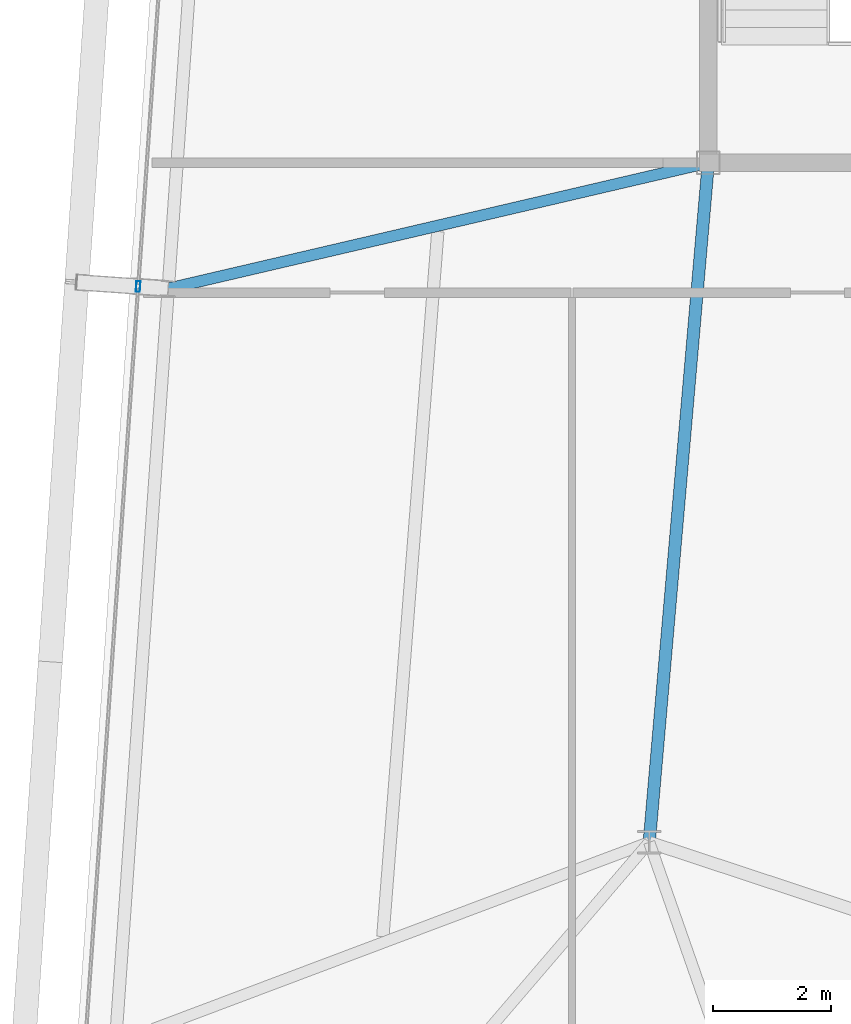
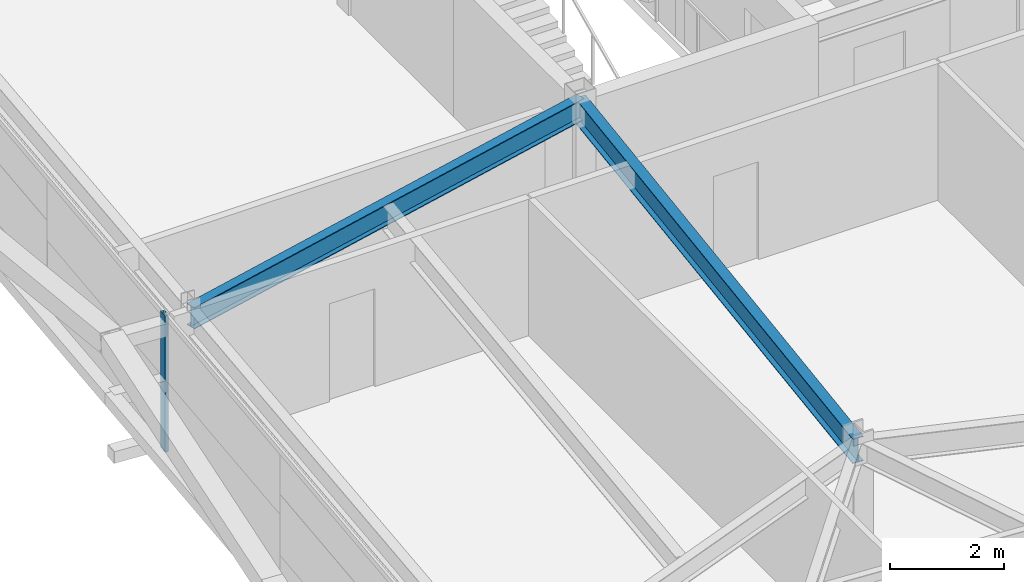
# One storey, part 11 of 39: 2 beams, 1 member, 1 element without a shape of its own.
"""IFC4 building model written with IfcOpenShell, lengths in metres."""

import ifcopenshell
import ifcopenshell.guid

model = None  # the IFC model being written
_history = None  # IfcOwnerHistory: only IFC2X3 demands one
_inside = {}  # id of a spatial element -> (the spatial element, [elements in it])
_under = {}  # id of a project, library or spatial element -> (it, [spatial elements below it])
_declared = {}  # id of a project -> (the project, [libraries it declares])
_typed = {}  # id of a type object -> (the type object, [elements of that type])
_made_of = {}  # id of a material, layer set ... -> (it, [elements and type objects made of it])


def new_model(schema):
    """Start an empty IFC model of exactly this schema.

    Asked for "IFC4X3", IfcOpenShell would pick the latest addendum, in which some entities
    have other attributes; the version numbers below select the first issue.
    IFC2X3 requires an IfcOwnerHistory on every rooted entity: one is made here for all.
    """
    global model, _history
    if schema == "IFC4X3":
        model = ifcopenshell.file(schema_version=(4, 3, 0, 0))
    else:
        model = ifcopenshell.file(schema=schema)
    _inside.clear()
    _under.clear()
    _declared.clear()
    _typed.clear()
    _made_of.clear()
    _history = None
    if model.schema == "IFC2X3":
        org = make("IfcOrganization", Name="unknown")
        user = make(
            "IfcPersonAndOrganization",
            ThePerson=make("IfcPerson", FamilyName="unknown"),
            TheOrganization=org,
        )
        app = make(
            "IfcApplication",
            ApplicationDeveloper=org,
            Version="unknown",
            ApplicationFullName="unknown",
            ApplicationIdentifier="unknown",
        )
        _history = make(
            "IfcOwnerHistory",
            OwningUser=user,
            OwningApplication=app,
            ChangeAction="ADDED",
            CreationDate=0,
        )
    return model


def make(cls, **values):
    """One entity of the class cls with the attributes given. An attribute that is None is left unset."""
    return model.create_entity(
        cls, **{name: value for name, value in values.items() if value is not None}
    )


def rooted(cls, **values):
    """An entity with a GlobalId (a new one), such as an element, a storey or a relation."""
    return make(cls, GlobalId=ifcopenshell.guid.new(), OwnerHistory=_history, **values)


def si_unit(unit_type, name, prefix=None):
    """IfcSIUnit, for example si_unit("LENGTHUNIT", "METRE", prefix="MILLI")."""
    return make("IfcSIUnit", UnitType=unit_type, Prefix=prefix, Name=name)


def assignment(units):
    """IfcUnitAssignment: the units of a project."""
    return None if units is None else make("IfcUnitAssignment", Units=units)


def point(xyz):
    """IfcCartesianPoint."""
    return None if xyz is None else make("IfcCartesianPoint", Coordinates=xyz)


def direction(xyz):
    """IfcDirection."""
    return None if xyz is None else make("IfcDirection", DirectionRatios=xyz)


def frame(location, z_axis=None, x_axis=None):
    """IfcAxis2Placement3D, a coordinate frame: its origin and axes. An axis left out is left unset."""
    return make(
        "IfcAxis2Placement3D",
        Location=point(location),
        Axis=direction(z_axis),
        RefDirection=direction(x_axis),
    )


def frame_2d(location, x_axis=None):
    """IfcAxis2Placement2D, a coordinate frame in the plane: its origin and x axis."""
    return make(
        "IfcAxis2Placement2D", Location=point(location), RefDirection=direction(x_axis)
    )


def origin():
    """The frame at (0, 0, 0) with its axes left unset."""
    return frame((0.0, 0.0, 0.0))


def origin_2d():
    """The frame at (0, 0) in the plane with its x axis left unset."""
    return frame_2d((0.0, 0.0))


def place(relative_to, where):
    """IfcLocalPlacement: puts the frame where relative to a parent placement (None: the world)."""
    return make(
        "IfcLocalPlacement", PlacementRelTo=relative_to, RelativePlacement=where
    )


def context(
    kind, dimensions, precision=None, world=None, true_north=None, identifier=None
):
    """IfcGeometricRepresentationContext, for example the 3D "Model" context."""
    return make(
        "IfcGeometricRepresentationContext",
        ContextIdentifier=identifier,
        ContextType=kind,
        CoordinateSpaceDimension=dimensions,
        Precision=precision,
        WorldCoordinateSystem=world,
        TrueNorth=true_north,
    )


def subcontext(parent, identifier, kind, view, scale=None):
    """IfcGeometricRepresentationSubContext, for example "Body" below "Model"."""
    return make(
        "IfcGeometricRepresentationSubContext",
        ContextIdentifier=identifier,
        ContextType=kind,
        ParentContext=parent,
        TargetScale=scale,
        TargetView=view,
    )


def project(units=None, contexts=None):
    """IfcProject with its units and contexts."""
    return rooted(
        "IfcProject",
        Name="project",
        RepresentationContexts=contexts,
        UnitsInContext=assignment(units),
    )


def spatial(cls, under=None, at=None, **own):
    """A site, building, storey or space (cls), placed at a placement, below another one or the project."""
    s = rooted(cls, ObjectPlacement=at, **own)
    if under is not None:
        _under.setdefault(under.id(), (under, []))[1].append(s)
    return s


def profile(cls, at=None, kind="AREA", **sizes):
    """A parametric profile (cls). Its sizes go by their IFC names, for example OverallWidth=200.0."""
    return make(cls, ProfileType=kind, Position=at, **sizes)


def hollow_rectangle(**sizes):
    """IfcRectangleHollowProfileDef."""
    return profile("IfcRectangleHollowProfileDef", **sizes)


def i_section(**sizes):
    """IfcIShapeProfileDef."""
    return profile("IfcIShapeProfileDef", **sizes)


def extrude(swept, where, along, depth):
    """IfcExtrudedAreaSolid: the profile swept, set in the frame where, extruded along a direction by depth."""
    return make(
        "IfcExtrudedAreaSolid",
        SweptArea=swept,
        Position=where,
        ExtrudedDirection=direction(along),
        Depth=depth,
    )


def shape(context_of_items, identifier, shape_type, items):
    """IfcShapeRepresentation: the items that make up one representation, for example the "Body"."""
    return make(
        "IfcShapeRepresentation",
        ContextOfItems=context_of_items,
        RepresentationIdentifier=identifier,
        RepresentationType=shape_type,
        Items=items,
    )


def source(mapping_origin, context_of_items, identifier, shape_type, items):
    """IfcRepresentationMap: a shape defined once, which mapped items show again and again."""
    return make(
        "IfcRepresentationMap",
        MappingOrigin=mapping_origin,
        MappedRepresentation=shape(context_of_items, identifier, shape_type, items),
    )


def transform(
    local_origin,
    x_axis=None,
    y_axis=None,
    z_axis=None,
    scale=None,
    scale2=None,
    scale3=None,
    uniform=True,
):
    """IfcCartesianTransformationOperator3D, or its non-uniform kind. x_axis, y_axis, z_axis: its Axis1, 2, 3."""
    if uniform:
        return make(
            "IfcCartesianTransformationOperator3D",
            Axis1=direction(x_axis),
            Axis2=direction(y_axis),
            LocalOrigin=point(local_origin),
            Scale=scale,
            Axis3=direction(z_axis),
        )
    return make(
        "IfcCartesianTransformationOperator3DnonUniform",
        Axis1=direction(x_axis),
        Axis2=direction(y_axis),
        LocalOrigin=point(local_origin),
        Scale=scale,
        Axis3=direction(z_axis),
        Scale2=scale2,
        Scale3=scale3,
    )


def mapped(mapping_source, mapping_target):
    """IfcMappedItem: shows the shape of a source again, moved by a transform."""
    return make(
        "IfcMappedItem", MappingSource=mapping_source, MappingTarget=mapping_target
    )


def material(Name=None, Category=None):
    """IfcMaterial."""
    return make("IfcMaterial", Name=Name, Category=Category)


def layer(
    of_material, thickness, ventilated=None, Name=None, Category=None, Priority=None
):
    """IfcMaterialLayer: one layer of a wall or slab, of a material (None: an air gap)."""
    return make(
        "IfcMaterialLayer",
        Material=of_material,
        LayerThickness=thickness,
        IsVentilated=ventilated,
        Name=Name,
        Category=Category,
        Priority=Priority,
    )


def layer_set(layers, Name=None):
    """IfcMaterialLayerSet."""
    return make("IfcMaterialLayerSet", MaterialLayers=layers, LayerSetName=Name)


def material_profile(
    of_material, cross_section, Name=None, Category=None, Priority=None
):
    """IfcMaterialProfile: a cross section and its material."""
    return make(
        "IfcMaterialProfile",
        Name=Name,
        Material=of_material,
        Profile=cross_section,
        Priority=Priority,
        Category=Category,
    )


def profile_set(profiles, Name=None, composite=None):
    """IfcMaterialProfileSet."""
    return make(
        "IfcMaterialProfileSet",
        Name=Name,
        MaterialProfiles=profiles,
        CompositeProfile=composite,
    )


def made_of(thing, what):
    """Note that an element or type object is made of a material, layer set ...; save() writes the relation."""
    if what is not None:
        _made_of.setdefault(what.id(), (what, []))[1].append(thing)
    return thing


def type_object(cls, material=None, **own):
    """A type object (cls), such as IfcWallType, which elements share."""
    return made_of(rooted(cls, **own), material)


def element(
    cls,
    number,
    at=None,
    inside=None,
    cuts=None,
    type_object=None,
    material=None,
    context=None,
    identifier="Body",
    shape_type=None,
    held_by="IfcProductDefinitionShape",
    body=None,
    shapes=None,
    **own,
):
    """One element of the class cls, such as IfcWall. Its Tag is "e" and its number.

    at: its placement. inside: the storey or other place that contains it. cuts: it is an
    opening in that element (IfcRelVoidsElement). A single representation is given by context,
    identifier, shape_type and body (its items); several are given by shapes. held_by: the class
    of the entity that holds the representations. save() writes the other relations.
    """
    e = rooted(cls, Tag="e%d" % number, ObjectPlacement=at, **own)
    if body is not None:
        shapes = [shape(context, identifier, shape_type, body)]
    if shapes is not None:
        e.Representation = make(held_by, Representations=shapes)
    if inside is not None:
        _inside.setdefault(inside.id(), (inside, []))[1].append(e)
    if cuts is not None:
        rooted(
            "IfcRelVoidsElement", RelatingBuildingElement=cuts, RelatedOpeningElement=e
        )
    if type_object is not None:
        _typed.setdefault(type_object.id(), (type_object, []))[1].append(e)
    return made_of(e, material)


def aggregate(whole, parts):
    """IfcRelAggregates: a whole, such as a stair, and the parts it consists of."""
    return rooted("IfcRelAggregates", RelatingObject=whole, RelatedObjects=parts)


def save(model, path):
    """Write the relations noted so far, then the file.

    IfcRelAggregates (storeys below a building ...), IfcRelContainedInSpatialStructure (elements
    in a storey), IfcRelDefinesByType, IfcRelAssociatesMaterial and IfcRelDeclares: one each for
    every whole, place, type object, material and project.
    """
    for whole, parts in _under.values():
        aggregate(whole, parts)
    for where, things in _inside.values():
        rooted(
            "IfcRelContainedInSpatialStructure",
            RelatedElements=things,
            RelatingStructure=where,
        )
    for kind, things in _typed.values():
        rooted("IfcRelDefinesByType", RelatedObjects=things, RelatingType=kind)
    for what, things in _made_of.values():
        rooted("IfcRelAssociatesMaterial", RelatedObjects=things, RelatingMaterial=what)
    for by, libraries in _declared.values():
        rooted("IfcRelDeclares", RelatingContext=by, RelatedDefinitions=libraries)
    model.write(path)


model = new_model("IFC4")

# Units and contexts
model_context = context("Model", 3, precision=1e-05, world=origin(), true_north=direction((0.0, 1.0)))
body_context = subcontext(model_context, "Body", "Model", "MODEL_VIEW")
ifc_project = project(units=[si_unit("LENGTHUNIT", "METRE"), si_unit("AREAUNIT", "SQUARE_METRE"), si_unit("VOLUMEUNIT", "CUBIC_METRE"), si_unit("PLANEANGLEUNIT", "RADIAN"), si_unit("MASSUNIT", "GRAM", prefix="KILO")], contexts=[model_context])

# Site, building, storey
site_placement = place(None, origin())
site = spatial("IfcSite", under=ifc_project, at=site_placement, CompositionType="ELEMENT")
building_placement = place(site_placement, origin())
building = spatial("IfcBuilding", under=site, at=building_placement, Name="Taldren Reach Tower", CompositionType="ELEMENT")
storey_placement = place(building_placement, frame((0.0, 0.0, 145.60009765625)))
storey = spatial("IfcBuildingStorey", under=building, at=storey_placement, Name="L44", CompositionType="ELEMENT", Elevation=145.60009765625)

# Beams
ifc_material_1 = material(Name="Steel Gr 350 (350PLUS)", Category="steel")
ifc_material_profile_1 = material_profile(ifc_material_1, i_section(OverallWidth=0.208984375, OverallDepth=0.532958984375, WebThickness=0.01025390625, FlangeThickness=0.015625, at=origin_2d()), Name="530UB92.4")
ifc_profile_set_1 = profile_set([ifc_material_profile_1], Name="Steel Gr 350 (350PLUS)")
beam_type_1 = type_object("IfcBeamType", Name="BM-UB530A", PredefinedType="BEAM", material=ifc_profile_set_1)
shared_shape_1 = source(origin(), body_context, "Body", "SweptSolid", [
    extrude(i_section(OverallWidth=0.208984375, OverallDepth=0.532958984375, WebThickness=0.01025390625, FlangeThickness=0.015625, at=origin_2d()), origin(), (0.0, 0.0, 1.0), 11.54345703125),
])
beam_1_placement = place(storey_placement, frame((19.0, 24.0, 2.663330078125), z_axis=(-0.086629616365, -0.996240588196, 0.0), x_axis=(0.996240588196, -0.086629616365, 0.0)))
element("IfcBeam", 1, at=beam_1_placement, inside=storey, type_object=beam_type_1, Name="Core-spine girder L44-SP09", PredefinedType="BEAM", context=body_context, shape_type="MappedRepresentation", body=[
    mapped(shared_shape_1, transform((0.0, 0.0, 0.0), scale=1.0)),
])
ifc_material_profile_2 = material_profile(ifc_material_1, i_section(OverallWidth=0.19091796875, OverallDepth=0.4599609375, WebThickness=0.010009765625, FlangeThickness=0.01611328125, at=origin_2d()), Name="460UB82.1")
ifc_profile_set_2 = profile_set([ifc_material_profile_2], Name="Steel Gr 350 (350PLUS)")
beam_type_2 = type_object("IfcBeamType", Name="BM-UB460A", PredefinedType="BEAM", material=ifc_profile_set_2)
shared_shape_2 = source(origin(), body_context, "Body", "SweptSolid", [
    extrude(i_section(OverallWidth=0.19091796875, OverallDepth=0.4599609375, WebThickness=0.010009765625, FlangeThickness=0.01611328125, at=origin_2d()), origin(), (0.0, 0.0, 1.0), 9.383544921875),
])
beam_2_placement = place(storey_placement, frame((19.0, 24.0, 2.699951171875), z_axis=(-0.973856560651, -0.227163815951, 0.0), x_axis=(0.227163815951, -0.973856560651, 0.0)))
element("IfcBeam", 2, at=beam_2_placement, inside=storey, type_object=beam_type_2, Name="Primary floor girder B3-W2 L44", PredefinedType="BEAM", context=body_context, shape_type="MappedRepresentation", body=[
    mapped(shared_shape_2, transform((0.0, 0.0, 0.0), scale=1.0)),
])

# Curtain wall, member
ifc_material_2 = material(Name="Aluminium and Low-E Glass Unitised System", Category="aluminium")
ifc_layer = layer(ifc_material_2, 0.159912109375)
ifc_layer_set = layer_set([ifc_layer], Name="Aluminium and Low-E Glass Unitised System")
curtain_wall_type = type_object("IfcCurtainWallType", Name="CW-SYS-4", PredefinedType="NOTDEFINED", material=ifc_layer_set)
curtain_wall_placement = place(storey_placement, origin())
curtain_wall = element("IfcCurtainWall", 3, at=curtain_wall_placement, inside=storey, type_object=curtain_wall_type, Name="Unitised curtain wall CW-L44-W", PredefinedType="NOTDEFINED")
ifc_material_3 = material(Name="Anodised Aluminium 6063-T6", Category="aluminium")
ifc_material_profile_3 = material_profile(ifc_material_3, hollow_rectangle(XDim=0.070068359375, YDim=0.179931640625, WallThickness=0.00390625, at=origin_2d()), Name="ALU-180x70x4RHS")
ifc_profile_set_3 = profile_set([ifc_material_profile_3], Name="Anodised Aluminium 6063-T6")
member_type = type_object("IfcMemberType", Name="CW-MUL-180", PredefinedType="MULLION", material=ifc_profile_set_3)
shared_shape_3 = source(origin(), body_context, "Body", "SweptSolid", [
    extrude(hollow_rectangle(XDim=0.070068359375, YDim=0.179931640625, WallThickness=0.00390625, at=origin_2d()), origin(), (0.0, 0.0, 1.0), 2.929931640625),
])
member_placement = place(storey_placement, frame((9.35302734375, 21.90380859375, 0.0), z_axis=(0.0, 0.0, 1.0), x_axis=(0.997564052812, -0.069756437251, 0.0)))
member = element("IfcMember", 4, at=member_placement, type_object=member_type, Name="CW-4 mullion 2", PredefinedType="MULLION", context=body_context, shape_type="MappedRepresentation", body=[
    mapped(shared_shape_3, transform((0.0, 0.0, 0.0), scale=1.0)),
])
aggregate(curtain_wall, [member])

save(model, "model.ifc")
